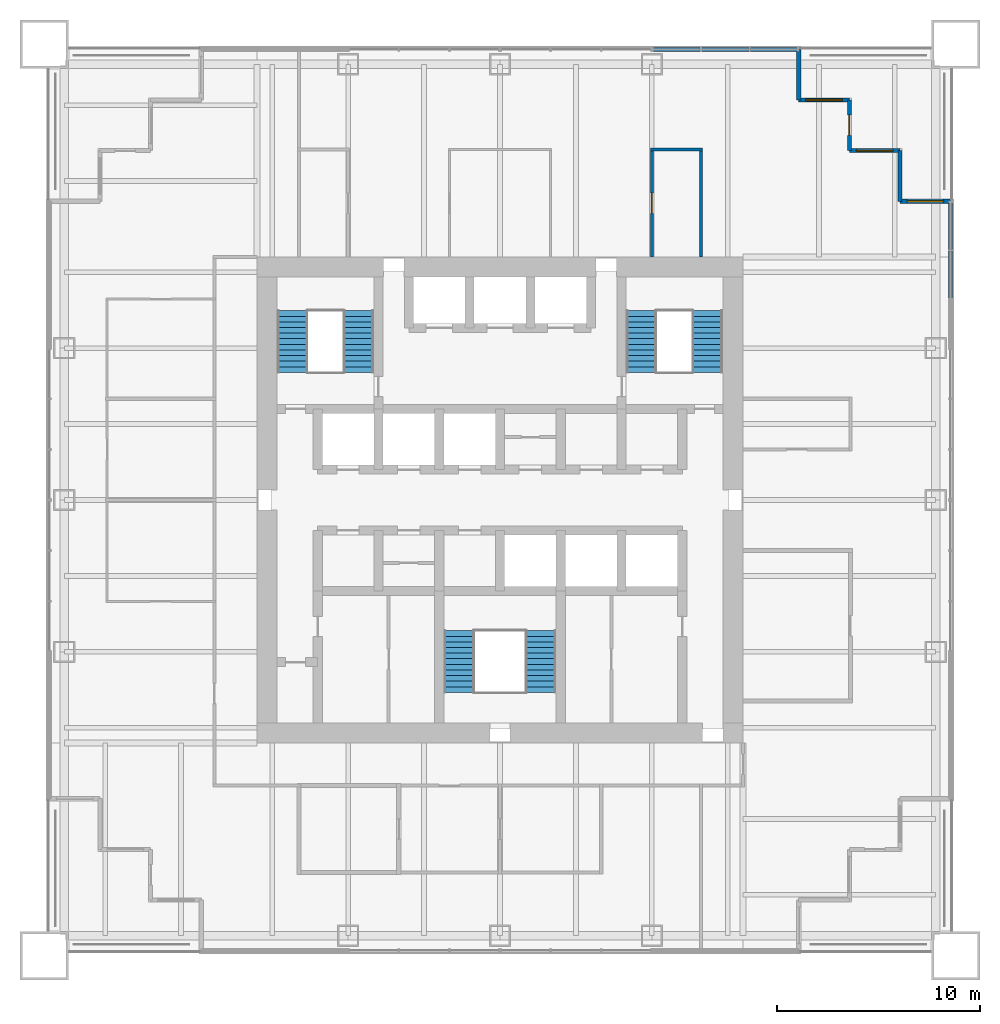
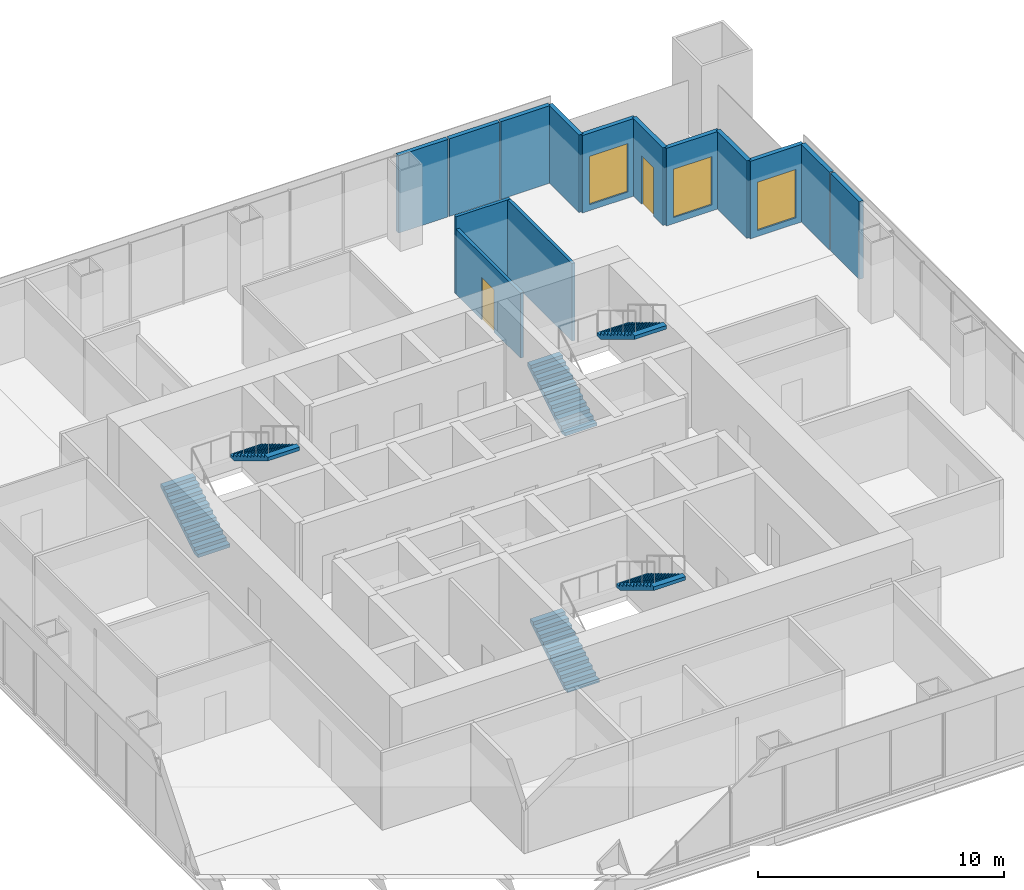
# One storey, part 11 of 13: 14 walls, 6 stair flights, 3 windows, 2 doors, 5 openings, 3 elements without a shape of their own.
"""IFC4 building model written with IfcOpenShell, lengths in metres."""

from ifc_helpers import new_model, si_unit, direction, frame, frame_2d, origin, place, context, subcontext, project, spatial, polyline, rectangle, outline, extrude, material, layer, layer_set, type_object, element, fill, aggregate, save


model = new_model("IFC4")

# Units and contexts
model_context = context("Model", 3, precision=1e-05, world=origin(), true_north=direction((0.0, 1.0)))
body_context = subcontext(model_context, "Body", "Model", "MODEL_VIEW")
ifc_project = project(units=[si_unit("LENGTHUNIT", "METRE"), si_unit("AREAUNIT", "SQUARE_METRE"), si_unit("VOLUMEUNIT", "CUBIC_METRE"), si_unit("PLANEANGLEUNIT", "RADIAN"), si_unit("MASSUNIT", "GRAM", prefix="KILO")], contexts=[model_context])

# Site, building, storey
site_placement = place(None, origin())
site = spatial("IfcSite", under=ifc_project, at=site_placement, CompositionType="ELEMENT")
building_placement = place(site_placement, origin())
building = spatial("IfcBuilding", under=site, at=building_placement, Name="Tarangal Relay Tower", CompositionType="ELEMENT")
storey_placement = place(building_placement, frame((0.0, 0.0, 241.89990234375)))
storey = spatial("IfcBuildingStorey", under=building, at=storey_placement, Name="L52", CompositionType="ELEMENT", Elevation=241.89990234375)

# Wall
ifc_material_1 = material(Name="Black metal clad insulated wall", Category="steel")
ifc_layer_1 = layer(ifc_material_1, 0.199951171875)
ifc_layer_set_1 = layer_set([ifc_layer_1], Name="Corner wall metal clad 200")
wall_type_1 = type_object("IfcWallType", Name="Corner wall metal clad 200", PredefinedType="SOLIDWALL", material=ifc_layer_set_1)
wall_1_placement = place(storey_placement, frame((14.75, 22.25, 0.0), z_axis=(0.0, 0.0, 1.0), x_axis=(0.0, -1.0, 0.0)))
element("IfcWall", 1, at=wall_1_placement, inside=storey, type_object=wall_type_1, Name="Facade wall N facade L52", PredefinedType="SOLIDWALL", context=body_context, shape_type="SweptSolid", body=[
    extrude(rectangle(XDim=2.5, YDim=0.199951171875, at=frame_2d((1.25, 0.0))), origin(), (0.0, 0.0, 1.0), 3.85009765625),
])

# Wall, opening, window
wall_2_placement = place(storey_placement, frame((14.75, 19.75, 0.0), z_axis=(0.0, 0.0, 1.0), x_axis=(1.0, 0.0, 0.0)))
wall_2 = element("IfcWall", 2, at=wall_2_placement, inside=storey, type_object=wall_type_1, Name="Facade wall N facade L52", PredefinedType="SOLIDWALL", context=body_context, shape_type="SweptSolid", body=[
    extrude(rectangle(XDim=2.5, YDim=0.199951171875, at=frame_2d((1.25, 0.0))), origin(), (0.0, 0.0, 1.0), 3.85009765625),
])
opening_1_placement = place(wall_2_placement, frame((0.35009765625, 0.0, 0.300048828125)))
opening_1 = element("IfcOpeningElement", 3, at=opening_1_placement, cuts=wall_2, Name="Opening WN2", PredefinedType="OPENING", context=body_context, shape_type="SweptSolid", body=[
    extrude(rectangle(XDim=1.800048828125, YDim=2.39990234375, at=frame_2d((0.89990234375, 1.199951171875))), frame((0.0, 0.10986328125, 0.0), z_axis=(0.0, -1.0, 0.0), x_axis=(1.0, 0.0, 0.0)), (0.0, 0.0, 1.0), 0.219970703125),
])
ifc_material_2 = material(Name="Dark tinted double glazing in black aluminium frame", Category="aluminium")
window_type = type_object("IfcWindowType", Name="Corner window 1800 x 2400", PartitioningType="SINGLE_PANEL", PredefinedType="WINDOW", material=ifc_material_2)
window_1_placement = place(opening_1_placement, origin())
window_1 = element("IfcWindow", 4, at=window_1_placement, inside=storey, type_object=window_type, Name="Corner window WN2 N facade L52", OverallHeight=2.39990234375, OverallWidth=1.800048828125, PartitioningType="SINGLE_PANEL", PredefinedType="WINDOW", context=body_context, shape_type="SweptSolid", body=[
    extrude(rectangle(XDim=1.800048828125, YDim=2.39990234375, at=frame_2d((0.89990234375, 1.199951171875))), frame((0.0, 0.030029296875, 0.0), z_axis=(0.0, -1.0, 0.0), x_axis=(1.0, 0.0, 0.0)), (0.0, 0.0, 1.0), 0.06005859375),
])
fill(opening_1, window_1)

# Wall, opening, door
wall_3_placement = place(storey_placement, frame((17.25, 19.75, 0.0), z_axis=(0.0, 0.0, 1.0), x_axis=(0.0, -1.0, 0.0)))
wall_3 = element("IfcWall", 5, at=wall_3_placement, inside=storey, type_object=wall_type_1, Name="Facade wall N facade L52", PredefinedType="SOLIDWALL", context=body_context, shape_type="SweptSolid", body=[
    extrude(rectangle(XDim=2.5, YDim=0.199951171875, at=frame_2d((1.25, 0.0))), origin(), (0.0, 0.0, 1.0), 3.85009765625),
])
opening_2_placement = place(wall_3_placement, frame((0.75, 0.0, 0.0)))
opening_2 = element("IfcOpeningElement", 6, at=opening_2_placement, cuts=wall_3, Name="Opening TD1", PredefinedType="OPENING", context=body_context, shape_type="SweptSolid", body=[
    extrude(rectangle(XDim=1.0, YDim=2.39990234375, at=frame_2d((0.5, 1.199951171875))), frame((0.0, 0.10986328125, 0.0), z_axis=(0.0, -1.0, 0.0), x_axis=(1.0, 0.0, 0.0)), (0.0, 0.0, 1.0), 0.219970703125),
])
ifc_material_3 = material(Name="Aluminium glazed door", Category="aluminium")
door_type_1 = type_object("IfcDoorType", Name="Terrace door 1000 x 2400", OperationType="SINGLE_SWING_RIGHT", PredefinedType="DOOR", material=ifc_material_3)
door_1_placement = place(opening_2_placement, origin())
door_1 = element("IfcDoor", 7, at=door_1_placement, inside=storey, type_object=door_type_1, Name="Terrace door TD1 NE L52", OperationType="SINGLE_SWING_RIGHT", OverallHeight=2.39990234375, OverallWidth=1.0, PredefinedType="DOOR", context=body_context, shape_type="SweptSolid", body=[
    extrude(rectangle(XDim=1.0, YDim=2.39990234375, at=frame_2d((0.5, 1.199951171875))), frame((0.0, 0.02490234375, 0.0), z_axis=(0.0, -1.0, 0.0), x_axis=(1.0, 0.0, 0.0)), (0.0, 0.0, 1.0), 0.050048828125),
])
fill(opening_2, door_1)

# Wall, opening, window
wall_4_placement = place(storey_placement, frame((17.25, 17.25, 0.0), z_axis=(0.0, 0.0, 1.0), x_axis=(1.0, 0.0, 0.0)))
wall_4 = element("IfcWall", 8, at=wall_4_placement, inside=storey, type_object=wall_type_1, Name="Facade wall N facade L52", PredefinedType="SOLIDWALL", context=body_context, shape_type="SweptSolid", body=[
    extrude(rectangle(XDim=2.5, YDim=0.199951171875, at=frame_2d((1.25, 0.0))), origin(), (0.0, 0.0, 1.0), 3.85009765625),
])
opening_3_placement = place(wall_4_placement, frame((0.35009765625, 0.0, 0.300048828125)))
opening_3 = element("IfcOpeningElement", 9, at=opening_3_placement, cuts=wall_4, Name="Opening WN2", PredefinedType="OPENING", context=body_context, shape_type="SweptSolid", body=[
    extrude(rectangle(XDim=1.800048828125, YDim=2.39990234375, at=frame_2d((0.89990234375, 1.199951171875))), frame((0.0, 0.10986328125, 0.0), z_axis=(0.0, -1.0, 0.0), x_axis=(1.0, 0.0, 0.0)), (0.0, 0.0, 1.0), 0.219970703125),
])
window_2_placement = place(opening_3_placement, origin())
window_2 = element("IfcWindow", 10, at=window_2_placement, inside=storey, type_object=window_type, Name="Corner window WN2 N facade L52", OverallHeight=2.39990234375, OverallWidth=1.800048828125, PartitioningType="SINGLE_PANEL", PredefinedType="WINDOW", context=body_context, shape_type="SweptSolid", body=[
    extrude(rectangle(XDim=1.800048828125, YDim=2.39990234375, at=frame_2d((0.89990234375, 1.199951171875))), frame((0.0, 0.030029296875, 0.0), z_axis=(0.0, -1.0, 0.0), x_axis=(1.0, 0.0, 0.0)), (0.0, 0.0, 1.0), 0.06005859375),
])
fill(opening_3, window_2)

# Wall
wall_5_placement = place(storey_placement, frame((19.75, 17.25, 0.0), z_axis=(0.0, 0.0, 1.0), x_axis=(0.0, -1.0, 0.0)))
element("IfcWall", 11, at=wall_5_placement, inside=storey, type_object=wall_type_1, Name="Facade wall N facade L52", PredefinedType="SOLIDWALL", context=body_context, shape_type="SweptSolid", body=[
    extrude(rectangle(XDim=2.5, YDim=0.199951171875, at=frame_2d((1.25, 0.0))), origin(), (0.0, 0.0, 1.0), 3.85009765625),
])

# Wall, opening, window
wall_6_placement = place(storey_placement, frame((19.75, 14.75, 0.0), z_axis=(0.0, 0.0, 1.0), x_axis=(1.0, 0.0, 0.0)))
wall_6 = element("IfcWall", 12, at=wall_6_placement, inside=storey, type_object=wall_type_1, Name="Facade wall N facade L52", PredefinedType="SOLIDWALL", context=body_context, shape_type="SweptSolid", body=[
    extrude(rectangle(XDim=2.5, YDim=0.199951171875, at=frame_2d((1.25, 0.0))), origin(), (0.0, 0.0, 1.0), 3.85009765625),
])
opening_4_placement = place(wall_6_placement, frame((0.35009765625, 0.0, 0.300048828125)))
opening_4 = element("IfcOpeningElement", 13, at=opening_4_placement, cuts=wall_6, Name="Opening WN2", PredefinedType="OPENING", context=body_context, shape_type="SweptSolid", body=[
    extrude(rectangle(XDim=1.800048828125, YDim=2.39990234375, at=frame_2d((0.89990234375, 1.199951171875))), frame((0.0, 0.10986328125, 0.0), z_axis=(0.0, -1.0, 0.0), x_axis=(1.0, 0.0, 0.0)), (0.0, 0.0, 1.0), 0.219970703125),
])
window_3_placement = place(opening_4_placement, origin())
window_3 = element("IfcWindow", 14, at=window_3_placement, inside=storey, type_object=window_type, Name="Corner window WN2 N facade L52", OverallHeight=2.39990234375, OverallWidth=1.800048828125, PartitioningType="SINGLE_PANEL", PredefinedType="WINDOW", context=body_context, shape_type="SweptSolid", body=[
    extrude(rectangle(XDim=1.800048828125, YDim=2.39990234375, at=frame_2d((0.89990234375, 1.199951171875))), frame((0.0, 0.030029296875, 0.0), z_axis=(0.0, -1.0, 0.0), x_axis=(1.0, 0.0, 0.0)), (0.0, 0.0, 1.0), 0.06005859375),
])
fill(opening_4, window_3)

# Walls
ifc_layer_2 = layer(ifc_material_1, 0.199951171875)
ifc_layer_set_2 = layer_set([ifc_layer_2], Name="Facade infill wall metal clad 200")
wall_type_2 = type_object("IfcWallType", Name="Facade infill wall metal clad 200", PredefinedType="SOLIDWALL", material=ifc_layer_set_2)
wall_7_placement = place(storey_placement, frame((7.56494140625, 22.25, 0.0), z_axis=(0.0, 0.0, 1.0), x_axis=(1.0, 0.0, 0.0)))
element("IfcWall", 15, at=wall_7_placement, inside=storey, type_object=wall_type_2, Name="Facade infill wall N facade L52 1.1", PredefinedType="SOLIDWALL", context=body_context, shape_type="SweptSolid", body=[
    extrude(rectangle(XDim=2.3193359375, YDim=0.199951171875, at=frame_2d((1.15966796875, 0.0))), origin(), (0.0, 0.0, 1.0), 3.85009765625),
])
wall_8_placement = place(storey_placement, frame((9.94921875, 22.25, 0.0), z_axis=(0.0, 0.0, 1.0), x_axis=(1.0, 0.0, 0.0)))
element("IfcWall", 16, at=wall_8_placement, inside=storey, type_object=wall_type_2, Name="Facade infill wall N facade L52 2.1", PredefinedType="SOLIDWALL", context=body_context, shape_type="SweptSolid", body=[
    extrude(rectangle(XDim=2.3515625, YDim=0.199951171875, at=frame_2d((1.17578125, 0.0))), origin(), (0.0, 0.0, 1.0), 3.85009765625),
])
for number, where, z_axis, x_axis, name in (
    (17, (12.36572265625, 22.25, 0.0), (0.0, 0.0, 1.0), (1.0, 0.0, 0.0), "Facade infill wall N facade L52 3.1"),
    (18, (22.25, 14.68505859375, 0.0), (0.0, 0.0, 1.0), (0.0, -1.0, 0.0), "Facade infill wall E facade L52 1.1"),
):
    element("IfcWall", number, at=place(storey_placement, frame(where, z_axis=z_axis, x_axis=x_axis)), inside=storey, type_object=wall_type_2, Name=name, PredefinedType="SOLIDWALL", context=body_context, shape_type="SweptSolid", body=[
        extrude(rectangle(XDim=2.3193359375, YDim=0.199951171875, at=frame_2d((1.15966796875, 0.0))), origin(), (0.0, 0.0, 1.0), 3.85009765625),
    ])
wall_9_placement = place(storey_placement, frame((22.25, 12.30078125, 0.0), z_axis=(0.0, 0.0, 1.0), x_axis=(0.0, -1.0, 0.0)))
element("IfcWall", 19, at=wall_9_placement, inside=storey, type_object=wall_type_2, Name="Facade infill wall E facade L52 2.1", PredefinedType="SOLIDWALL", context=body_context, shape_type="SweptSolid", body=[
    extrude(rectangle(XDim=2.3515625, YDim=0.199951171875, at=frame_2d((1.17578125, 0.0))), origin(), (0.0, 0.0, 1.0), 3.85009765625),
])
ifc_material_4 = material(Name="Gypsum board on steel studs", Category="steel")
ifc_layer_3 = layer(ifc_material_4, 0.14990234375)
ifc_layer_set_3 = layer_set([ifc_layer_3], Name="Partition 150")
wall_type_3 = type_object("IfcWallType", Name="Partition 150", PredefinedType="PARTITIONING", material=ifc_layer_set_3)
wall_10_placement = place(storey_placement, frame((7.425048828125, 17.300048828125, 0.0), z_axis=(0.0, 0.0, 1.0), x_axis=(1.0, 0.0, 0.0)))
element("IfcWall", 20, at=wall_10_placement, inside=storey, type_object=wall_type_3, Name="Partition PT1 L52", PredefinedType="PARTITIONING", context=body_context, shape_type="SweptSolid", body=[
    extrude(rectangle(XDim=2.56689453125, YDim=0.14990234375, at=frame_2d((1.283447265625, 0.0))), origin(), (0.0, 0.0, 1.0), 3.85009765625),
])

# Wall, opening, door
wall_11_placement = place(storey_placement, frame((7.5, 12.0, 0.0), z_axis=(0.0, 0.0, 1.0), x_axis=(0.0, 1.0, 0.0)))
wall_11 = element("IfcWall", 21, at=wall_11_placement, inside=storey, type_object=wall_type_3, Name="Partition PT1 L52", PredefinedType="PARTITIONING", context=body_context, shape_type="SweptSolid", body=[
    extrude(rectangle(XDim=5.375, YDim=0.14990234375, at=frame_2d((2.6875, 0.0))), origin(), (0.0, 0.0, 1.0), 3.238037109375),
])
opening_5_placement = place(wall_11_placement, frame((2.14990234375, 0.0, 0.0)))
opening_5 = element("IfcOpeningElement", 22, at=opening_5_placement, cuts=wall_11, Name="Opening D2", PredefinedType="OPENING", context=body_context, shape_type="SweptSolid", body=[
    extrude(rectangle(XDim=1.0, YDim=2.10009765625, at=frame_2d((0.5, 1.050048828125))), frame((0.0, 0.0849609375, 0.0), z_axis=(0.0, -1.0, 0.0), x_axis=(1.0, 0.0, 0.0)), (0.0, 0.0, 1.0), 0.169921875),
])
ifc_material_5 = material(Name="Hardwood door", Category="wood")
door_type_2 = type_object("IfcDoorType", Name="Door 1000 x 2100", OperationType="SINGLE_SWING_LEFT", PredefinedType="DOOR", material=ifc_material_5)
door_2_placement = place(opening_5_placement, origin())
door_2 = element("IfcDoor", 23, at=door_2_placement, inside=storey, type_object=door_type_2, Name="Door D2 to cellular office L52-04", OperationType="SINGLE_SWING_LEFT", OverallHeight=2.10009765625, OverallWidth=1.0, PredefinedType="DOOR", context=body_context, shape_type="SweptSolid", body=[
    extrude(rectangle(XDim=1.0, YDim=2.10009765625, at=frame_2d((0.5, 1.050048828125))), frame((0.0, 0.02490234375, 0.0), z_axis=(0.0, -1.0, 0.0), x_axis=(1.0, 0.0, 0.0)), (0.0, 0.0, 1.0), 0.050048828125),
])
fill(opening_5, door_2)

# Wall
wall_12_placement = place(storey_placement, frame((9.9169921875, 12.0, 0.0), z_axis=(0.0, 0.0, 1.0), x_axis=(0.0, 1.0, 0.0)))
element("IfcWall", 24, at=wall_12_placement, inside=storey, type_object=wall_type_3, Name="Partition PT1 L52", PredefinedType="PARTITIONING", context=body_context, shape_type="SweptSolid", body=[
    extrude(rectangle(XDim=5.375, YDim=0.14990234375, at=frame_2d((2.6875, 0.0))), origin(), (0.0, 0.0, 1.0), 3.85009765625),
])

# Stair, stair flights
ifc_material_6 = material(Name="Steel ASTM A992 stair flight", Category="steel")
stair_type = type_object("IfcStairType", Name="Core stair 1500", PredefinedType="HALF_TURN_STAIR", material=ifc_material_6)
stair_1_placement = place(storey_placement, origin())
stair_1 = element("IfcStair", 25, at=stair_1_placement, inside=storey, type_object=stair_type, Name="Stair ST-A L52", PredefinedType="HALF_TURN_STAIR")
stair_flight_type = type_object("IfcStairFlightType", Name="Steel stair flight 1500, 12 risers 167 x 277", PredefinedType="STRAIGHT", material=ifc_material_6)
stair_flight_1_placement = place(storey_placement, frame((-10.25, 6.300048828125, 0.0), z_axis=(0.0, 0.0, 1.0), x_axis=(0.0, 1.0, 0.0)))
stair_flight_1 = element("IfcStairFlight", 26, at=stair_flight_1_placement, type_object=stair_flight_type, Name="ST-A flight 1", NumberOfRisers=12, NumberOfTreads=11, PredefinedType="STRAIGHT", RiserHeight=0.166666667, TreadLength=0.277, context=body_context, shape_type="SweptSolid", body=[
    extrude(outline(polyline([(0.0, 0.0), (0.0, 0.166748046875), (0.277099609375, 0.166748046875), (0.277099609375, 0.333251953125), (0.553955078125, 0.333251953125), (0.553955078125, 0.5), (0.8310546875, 0.5), (0.8310546875, 0.666748046875), (1.10791015625, 0.666748046875), (1.10791015625, 0.833251953125), (1.385009765625, 0.833251953125), (1.385009765625, 1.0), (1.662109375, 1.0), (1.662109375, 1.166748046875), (1.93896484375, 1.166748046875), (1.93896484375, 1.333251953125), (2.216064453125, 1.333251953125), (2.216064453125, 1.5), (2.492919921875, 1.5), (2.492919921875, 1.666748046875), (2.77001953125, 1.666748046875), (2.77001953125, 1.833251953125), (3.047119140625, 1.833251953125), (3.047119140625, 2.0), (3.047119140625, 1.658447265625), (0.290771484375, 0.0), (0.0, 0.0)])), frame((0.0, 0.75, 0.0), z_axis=(0.0, -1.0, 0.0), x_axis=(1.0, 0.0, 0.0)), (0.0, 0.0, 1.0), 1.5),
])
stair_flight_2_placement = place(storey_placement, frame((-6.97509765625, 9.346923828125, 2.0), z_axis=(0.0, 0.0, 1.0), x_axis=(0.0, -1.0, 0.0)))
stair_flight_2 = element("IfcStairFlight", 27, at=stair_flight_2_placement, type_object=stair_flight_type, Name="ST-A flight 2", NumberOfRisers=12, NumberOfTreads=11, PredefinedType="STRAIGHT", RiserHeight=0.166666667, TreadLength=0.277, context=body_context, shape_type="SweptSolid", body=[
    extrude(outline(polyline([(0.0, 0.0), (0.0, 0.166748046875), (0.277099609375, 0.166748046875), (0.277099609375, 0.333251953125), (0.553955078125, 0.333251953125), (0.553955078125, 0.5), (0.8310546875, 0.5), (0.8310546875, 0.666748046875), (1.10791015625, 0.666748046875), (1.10791015625, 0.833251953125), (1.385009765625, 0.833251953125), (1.385009765625, 1.0), (1.662109375, 1.0), (1.662109375, 1.166748046875), (1.93896484375, 1.166748046875), (1.93896484375, 1.333251953125), (2.216064453125, 1.333251953125), (2.216064453125, 1.5), (2.492919921875, 1.5), (2.492919921875, 1.666748046875), (2.77001953125, 1.666748046875), (2.77001953125, 1.833251953125), (3.047119140625, 1.833251953125), (3.047119140625, 2.0), (3.047119140625, 1.658447265625), (0.290771484375, 0.0), (0.0, 0.0)])), frame((0.0, 0.75, 0.0), z_axis=(0.0, -1.0, 0.0), x_axis=(1.0, 0.0, 0.0)), (0.0, 0.0, 1.0), 1.5),
])
aggregate(stair_1, [stair_flight_1, stair_flight_2])

stair_2_placement = place(storey_placement, origin())
stair_2 = element("IfcStair", 28, at=stair_2_placement, inside=storey, type_object=stair_type, Name="Stair ST-B L52", PredefinedType="HALF_TURN_STAIR")
stair_flight_3_placement = place(storey_placement, frame((6.97509765625, 6.300048828125, 0.0), z_axis=(0.0, 0.0, 1.0), x_axis=(0.0, 1.0, 0.0)))
stair_flight_3 = element("IfcStairFlight", 29, at=stair_flight_3_placement, type_object=stair_flight_type, Name="ST-B flight 1", NumberOfRisers=12, NumberOfTreads=11, PredefinedType="STRAIGHT", RiserHeight=0.166666667, TreadLength=0.277, context=body_context, shape_type="SweptSolid", body=[
    extrude(outline(polyline([(0.0, 0.0), (0.0, 0.166748046875), (0.277099609375, 0.166748046875), (0.277099609375, 0.333251953125), (0.553955078125, 0.333251953125), (0.553955078125, 0.5), (0.8310546875, 0.5), (0.8310546875, 0.666748046875), (1.10791015625, 0.666748046875), (1.10791015625, 0.833251953125), (1.385009765625, 0.833251953125), (1.385009765625, 1.0), (1.662109375, 1.0), (1.662109375, 1.166748046875), (1.93896484375, 1.166748046875), (1.93896484375, 1.333251953125), (2.216064453125, 1.333251953125), (2.216064453125, 1.5), (2.492919921875, 1.5), (2.492919921875, 1.666748046875), (2.77001953125, 1.666748046875), (2.77001953125, 1.833251953125), (3.047119140625, 1.833251953125), (3.047119140625, 2.0), (3.047119140625, 1.658447265625), (0.290771484375, 0.0), (0.0, 0.0)])), frame((0.0, 0.75, 0.0), z_axis=(0.0, -1.0, 0.0), x_axis=(1.0, 0.0, 0.0)), (0.0, 0.0, 1.0), 1.5),
])
stair_flight_4_placement = place(storey_placement, frame((10.25, 9.346923828125, 2.0), z_axis=(0.0, 0.0, 1.0), x_axis=(0.0, -1.0, 0.0)))
stair_flight_4 = element("IfcStairFlight", 30, at=stair_flight_4_placement, type_object=stair_flight_type, Name="ST-B flight 2", NumberOfRisers=12, NumberOfTreads=11, PredefinedType="STRAIGHT", RiserHeight=0.166666667, TreadLength=0.277, context=body_context, shape_type="SweptSolid", body=[
    extrude(outline(polyline([(0.0, 0.0), (0.0, 0.166748046875), (0.277099609375, 0.166748046875), (0.277099609375, 0.333251953125), (0.553955078125, 0.333251953125), (0.553955078125, 0.5), (0.8310546875, 0.5), (0.8310546875, 0.666748046875), (1.10791015625, 0.666748046875), (1.10791015625, 0.833251953125), (1.385009765625, 0.833251953125), (1.385009765625, 1.0), (1.662109375, 1.0), (1.662109375, 1.166748046875), (1.93896484375, 1.166748046875), (1.93896484375, 1.333251953125), (2.216064453125, 1.333251953125), (2.216064453125, 1.5), (2.492919921875, 1.5), (2.492919921875, 1.666748046875), (2.77001953125, 1.666748046875), (2.77001953125, 1.833251953125), (3.047119140625, 1.833251953125), (3.047119140625, 2.0), (3.047119140625, 1.658447265625), (0.290771484375, 0.0), (0.0, 0.0)])), frame((0.0, 0.75, 0.0), z_axis=(0.0, -1.0, 0.0), x_axis=(1.0, 0.0, 0.0)), (0.0, 0.0, 1.0), 1.5),
])
aggregate(stair_2, [stair_flight_3, stair_flight_4])

stair_3_placement = place(storey_placement, origin())
stair_3 = element("IfcStair", 31, at=stair_3_placement, inside=storey, type_object=stair_type, Name="Stair ST-C L52", PredefinedType="HALF_TURN_STAIR")
stair_flight_5_placement = place(storey_placement, frame((-2.02490234375, -9.5, 0.0), z_axis=(0.0, 0.0, 1.0), x_axis=(0.0, 1.0, 0.0)))
stair_flight_5 = element("IfcStairFlight", 32, at=stair_flight_5_placement, type_object=stair_flight_type, Name="ST-C flight 1", NumberOfRisers=12, NumberOfTreads=11, PredefinedType="STRAIGHT", RiserHeight=0.166666667, TreadLength=0.277, context=body_context, shape_type="SweptSolid", body=[
    extrude(outline(polyline([(0.0, 0.0), (0.0, 0.166748046875), (0.277099609375, 0.166748046875), (0.277099609375, 0.333251953125), (0.553955078125, 0.333251953125), (0.553955078125, 0.5), (0.8310546875, 0.5), (0.8310546875, 0.666748046875), (1.10791015625, 0.666748046875), (1.10791015625, 0.833251953125), (1.385009765625, 0.833251953125), (1.385009765625, 1.0), (1.662109375, 1.0), (1.662109375, 1.166748046875), (1.93896484375, 1.166748046875), (1.93896484375, 1.333251953125), (2.216064453125, 1.333251953125), (2.216064453125, 1.5), (2.492919921875, 1.5), (2.492919921875, 1.666748046875), (2.77001953125, 1.666748046875), (2.77001953125, 1.833251953125), (3.047119140625, 1.833251953125), (3.047119140625, 2.0), (3.047119140625, 1.658447265625), (0.290771484375, 0.0), (0.0, 0.0)])), frame((0.0, 0.75, 0.0), z_axis=(0.0, -1.0, 0.0), x_axis=(1.0, 0.0, 0.0)), (0.0, 0.0, 1.0), 1.5),
])
stair_flight_6_placement = place(storey_placement, frame((2.02490234375, -6.452880859375, 2.0), z_axis=(0.0, 0.0, 1.0), x_axis=(0.0, -1.0, 0.0)))
stair_flight_6 = element("IfcStairFlight", 33, at=stair_flight_6_placement, type_object=stair_flight_type, Name="ST-C flight 2", NumberOfRisers=12, NumberOfTreads=11, PredefinedType="STRAIGHT", RiserHeight=0.166666667, TreadLength=0.277, context=body_context, shape_type="SweptSolid", body=[
    extrude(outline(polyline([(0.0, 0.0), (0.0, 0.166748046875), (0.277099609375, 0.166748046875), (0.277099609375, 0.333251953125), (0.553955078125, 0.333251953125), (0.553955078125, 0.5), (0.8310546875, 0.5), (0.8310546875, 0.666748046875), (1.10791015625, 0.666748046875), (1.10791015625, 0.833251953125), (1.385009765625, 0.833251953125), (1.385009765625, 1.0), (1.662109375, 1.0), (1.662109375, 1.166748046875), (1.93896484375, 1.166748046875), (1.93896484375, 1.333251953125), (2.216064453125, 1.333251953125), (2.216064453125, 1.5), (2.492919921875, 1.5), (2.492919921875, 1.666748046875), (2.77001953125, 1.666748046875), (2.77001953125, 1.833251953125), (3.047119140625, 1.833251953125), (3.047119140625, 2.0), (3.047119140625, 1.658447265625), (0.290771484375, 0.0), (0.0, 0.0)])), frame((0.0, 0.75, 0.0), z_axis=(0.0, -1.0, 0.0), x_axis=(1.0, 0.0, 0.0)), (0.0, 0.0, 1.0), 1.5),
])
aggregate(stair_3, [stair_flight_5, stair_flight_6])

save(model, "model.ifc")
